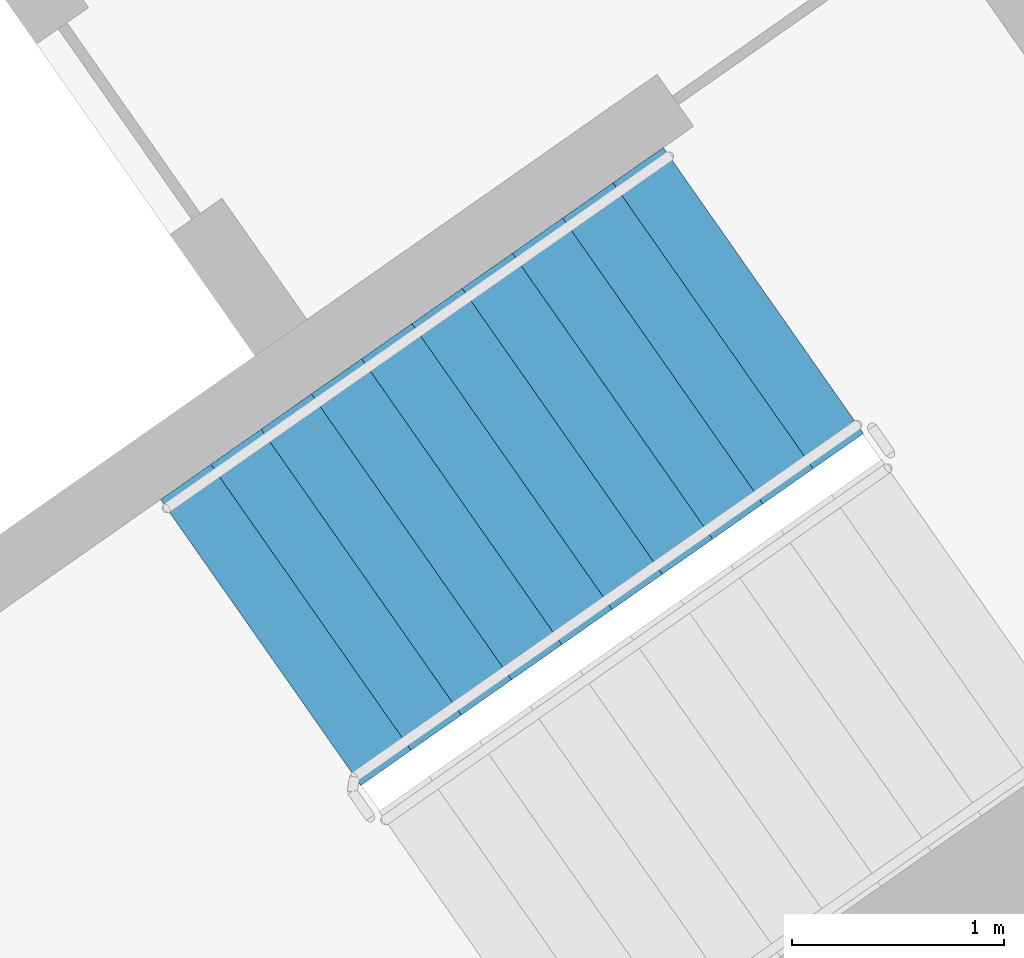
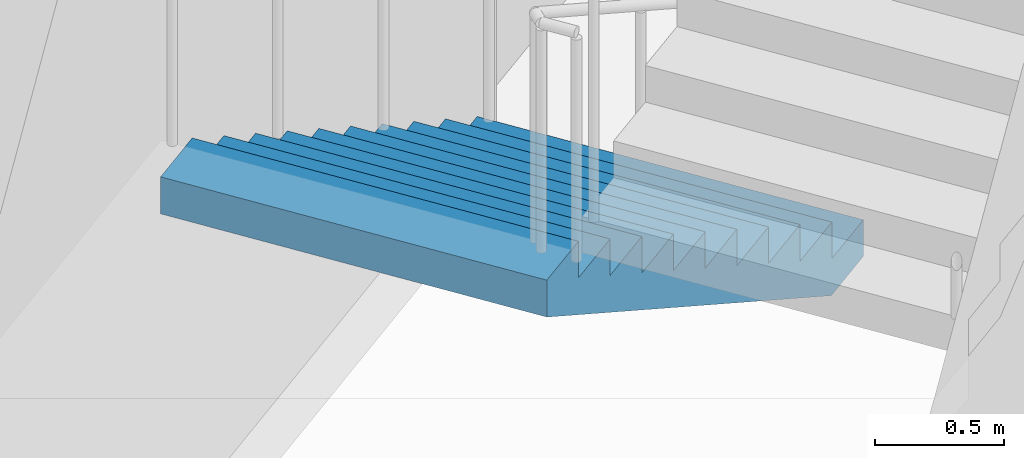
# One storey, part 16 of 27: 1 stair flight, 1 element without a shape of its own.
"""IFC4 building model written with IfcOpenShell, lengths in metres."""

from ifc_helpers import new_model, si_unit, direction, frame, origin, place, context, subcontext, project, spatial, faceted_brep, material, type_object, element, aggregate, save


model = new_model("IFC4")

# Units and contexts
model_context = context("Model", 3, precision=1e-05, world=origin(), true_north=direction((0.0, 1.0)))
body_context = subcontext(model_context, "Body", "Model", "MODEL_VIEW")
ifc_project = project(units=[si_unit("LENGTHUNIT", "METRE"), si_unit("AREAUNIT", "SQUARE_METRE"), si_unit("VOLUMEUNIT", "CUBIC_METRE"), si_unit("PLANEANGLEUNIT", "RADIAN"), si_unit("MASSUNIT", "GRAM", prefix="KILO")], contexts=[model_context])

# Site, building, storey
site_placement = place(None, origin())
site = spatial("IfcSite", under=ifc_project, at=site_placement, CompositionType="ELEMENT")
building_placement = place(site_placement, origin())
building = spatial("IfcBuilding", under=site, at=building_placement, Name="Qamariyya Broadcast Tower", CompositionType="ELEMENT")
storey_placement = place(building_placement, frame((0.0, 0.0, 179.699951171875)))
storey = spatial("IfcBuildingStorey", under=building, at=storey_placement, Name="L42", CompositionType="ELEMENT", Elevation=179.699951171875)

# Stair, stair flight
ifc_material = material(Name="Concrete C50/60", Category="concrete")
stair_type = type_object("IfcStairType", Name="Exit stair 22 risers of 173 mm", PredefinedType="HALF_TURN_STAIR", material=ifc_material)
stair_placement = place(storey_placement, origin())
stair = element("IfcStair", 1, at=stair_placement, inside=storey, type_object=stair_type, Name="L42 Stair E1", PredefinedType="HALF_TURN_STAIR")
stair_flight_type = type_object("IfcStairFlightType", Name="Exit stair flight 11 risers of 173 mm", PredefinedType="STRAIGHT", material=ifc_material)
stair_flight_placement = place(storey_placement, frame((46.036376953125, -55.508056640625, 0.0), z_axis=(0.0, 0.0, 1.0), x_axis=(-0.819152044289, -0.573576436351, 0.0)))
stair_flight = element("IfcStairFlight", 2, at=stair_flight_placement, type_object=stair_flight_type, Name="ST-E1 flight 1", NumberOfRisers=11, NumberOfTreads=10, PredefinedType="STRAIGHT", RiserHeight=0.172727273, TreadLength=0.29, context=body_context, shape_type="Brep", body=[
    faceted_brep([(0.0, 0.824951171875, 0.0), (0.0, 0.824951171875, 0.172607421875), (0.2900390625, 0.824951171875, 0.172607421875), (0.2900390625, 0.824951171875, 0.345458984375), (0.580078125, 0.824951171875, 0.345458984375), (0.580078125, 0.824951171875, 0.51806640625), (0.8701171875, 0.824951171875, 0.51806640625), (0.8701171875, 0.824951171875, 0.69091796875), (1.159912109375, 0.824951171875, 0.69091796875), (1.159912109375, 0.824951171875, 0.863525390625), (1.449951171875, 0.824951171875, 0.863525390625), (1.449951171875, 0.824951171875, 1.036376953125), (1.739990234375, 0.824951171875, 1.036376953125), (1.739990234375, 0.824951171875, 1.208984375), (2.030029296875, 0.824951171875, 1.208984375), (2.030029296875, 0.824951171875, 1.3818359375), (2.320068359375, 0.824951171875, 1.3818359375), (2.320068359375, 0.824951171875, 1.554443359375), (2.610107421875, 0.824951171875, 1.554443359375), (2.610107421875, 0.824951171875, 1.727294921875), (2.89990234375, 0.824951171875, 1.727294921875), (2.89990234375, 0.824951171875, 1.552734375), (0.29296875, 0.824951171875, 0.0), (0.29296875, -0.824951171875, 0.0), (2.89990234375, -0.824951171875, 1.552734375), (2.89990234375, -0.824951171875, 1.727294921875), (2.610107421875, -0.824951171875, 1.727294921875), (2.610107421875, -0.824951171875, 1.554443359375), (2.320068359375, -0.824951171875, 1.554443359375), (2.320068359375, -0.824951171875, 1.3818359375), (2.030029296875, -0.824951171875, 1.3818359375), (2.030029296875, -0.824951171875, 1.208984375), (1.739990234375, -0.824951171875, 1.208984375), (1.739990234375, -0.824951171875, 1.036376953125), (1.449951171875, -0.824951171875, 1.036376953125), (1.449951171875, -0.824951171875, 0.863525390625), (1.159912109375, -0.824951171875, 0.863525390625), (1.159912109375, -0.824951171875, 0.69091796875), (0.8701171875, -0.824951171875, 0.69091796875), (0.8701171875, -0.824951171875, 0.51806640625), (0.580078125, -0.824951171875, 0.51806640625), (0.580078125, -0.824951171875, 0.345458984375), (0.2900390625, -0.824951171875, 0.345458984375), (0.2900390625, -0.824951171875, 0.172607421875), (0.0, -0.824951171875, 0.172607421875), (0.0, -0.824951171875, 0.0), (0.0, 0.10009765625, 0.0), (0.0, 0.086669921875, 0.0), (0.0, 0.0732421875, 0.0), (0.0, 0.06005859375, 0.0), (0.0, 0.046630859375, 0.0), (0.0, 0.033447265625, 0.0), (0.0, 0.02001953125, 0.0), (0.0, 0.006591796875, 0.0), (0.0, -0.006591796875, 0.0), (0.0, -0.02001953125, 0.0), (0.0, -0.033447265625, 0.0), (0.0, -0.046630859375, 0.0), (0.0, -0.06005859375, 0.0), (0.0, -0.0732421875, 0.0), (0.0, -0.086669921875, 0.0), (0.0, -0.10009765625, 0.0), (0.0, -0.10009765625, 0.172607421875), (0.0, -0.086669921875, 0.172607421875), (0.0, -0.0732421875, 0.172607421875), (0.0, -0.06005859375, 0.172607421875), (0.0, -0.046630859375, 0.172607421875), (0.0, -0.033447265625, 0.172607421875), (0.0, -0.02001953125, 0.172607421875), (0.0, -0.006591796875, 0.172607421875), (0.0, 0.006591796875, 0.172607421875), (0.0, 0.02001953125, 0.172607421875), (0.0, 0.033447265625, 0.172607421875), (0.0, 0.046630859375, 0.172607421875), (0.0, 0.06005859375, 0.172607421875), (0.0, 0.0732421875, 0.172607421875), (0.0, 0.086669921875, 0.172607421875), (0.0, 0.10009765625, 0.172607421875), (0.2900390625, -0.10009765625, 0.172607421875), (0.2900390625, -0.086669921875, 0.172607421875), (0.2900390625, -0.0732421875, 0.172607421875), (0.2900390625, -0.06005859375, 0.172607421875), (0.2900390625, -0.046630859375, 0.172607421875), (0.2900390625, -0.033447265625, 0.172607421875), (0.2900390625, -0.02001953125, 0.172607421875), (0.2900390625, -0.006591796875, 0.172607421875), (0.2900390625, 0.006591796875, 0.172607421875), (0.2900390625, 0.02001953125, 0.172607421875), (0.2900390625, 0.033447265625, 0.172607421875), (0.2900390625, 0.046630859375, 0.172607421875), (0.2900390625, 0.06005859375, 0.172607421875), (0.2900390625, 0.0732421875, 0.172607421875), (0.2900390625, 0.086669921875, 0.172607421875), (0.2900390625, 0.10009765625, 0.172607421875), (0.2900390625, -0.10009765625, 0.345458984375), (0.2900390625, -0.086669921875, 0.345458984375), (0.2900390625, -0.0732421875, 0.345458984375), (0.2900390625, -0.06005859375, 0.345458984375), (0.2900390625, -0.046630859375, 0.345458984375), (0.2900390625, -0.033447265625, 0.345458984375), (0.2900390625, -0.02001953125, 0.345458984375), (0.2900390625, -0.006591796875, 0.345458984375), (0.2900390625, 0.006591796875, 0.345458984375), (0.2900390625, 0.02001953125, 0.345458984375), (0.2900390625, 0.033447265625, 0.345458984375), (0.2900390625, 0.046630859375, 0.345458984375), (0.2900390625, 0.06005859375, 0.345458984375), (0.2900390625, 0.0732421875, 0.345458984375), (0.2900390625, 0.086669921875, 0.345458984375), (0.2900390625, 0.10009765625, 0.345458984375), (0.580078125, -0.10009765625, 0.345458984375), (0.580078125, -0.086669921875, 0.345458984375), (0.580078125, -0.0732421875, 0.345458984375), (0.580078125, -0.06005859375, 0.345458984375), (0.580078125, -0.046630859375, 0.345458984375), (0.580078125, -0.033447265625, 0.345458984375), (0.580078125, -0.02001953125, 0.345458984375), (0.580078125, -0.006591796875, 0.345458984375), (0.580078125, 0.006591796875, 0.345458984375), (0.580078125, 0.02001953125, 0.345458984375), (0.580078125, 0.033447265625, 0.345458984375), (0.580078125, 0.046630859375, 0.345458984375), (0.580078125, 0.06005859375, 0.345458984375), (0.580078125, 0.0732421875, 0.345458984375), (0.580078125, 0.086669921875, 0.345458984375), (0.580078125, 0.10009765625, 0.345458984375), (0.580078125, -0.10009765625, 0.51806640625), (0.580078125, -0.086669921875, 0.51806640625), (0.580078125, -0.0732421875, 0.51806640625), (0.580078125, -0.06005859375, 0.51806640625), (0.580078125, -0.046630859375, 0.51806640625), (0.580078125, -0.033447265625, 0.51806640625), (0.580078125, -0.02001953125, 0.51806640625), (0.580078125, -0.006591796875, 0.51806640625), (0.580078125, 0.006591796875, 0.51806640625), (0.580078125, 0.02001953125, 0.51806640625), (0.580078125, 0.033447265625, 0.51806640625), (0.580078125, 0.046630859375, 0.51806640625), (0.580078125, 0.06005859375, 0.51806640625), (0.580078125, 0.0732421875, 0.51806640625), (0.580078125, 0.086669921875, 0.51806640625), (0.580078125, 0.10009765625, 0.51806640625), (0.8701171875, -0.10009765625, 0.51806640625), (0.8701171875, -0.086669921875, 0.51806640625), (0.8701171875, -0.0732421875, 0.51806640625), (0.8701171875, -0.06005859375, 0.51806640625), (0.8701171875, -0.046630859375, 0.51806640625), (0.8701171875, -0.033447265625, 0.51806640625), (0.8701171875, -0.02001953125, 0.51806640625), (0.8701171875, -0.006591796875, 0.51806640625), (0.8701171875, 0.006591796875, 0.51806640625), (0.8701171875, 0.02001953125, 0.51806640625), (0.8701171875, 0.033447265625, 0.51806640625), (0.8701171875, 0.046630859375, 0.51806640625), (0.8701171875, 0.06005859375, 0.51806640625), (0.8701171875, 0.0732421875, 0.51806640625), (0.8701171875, 0.086669921875, 0.51806640625), (0.8701171875, 0.10009765625, 0.51806640625), (0.8701171875, -0.10009765625, 0.69091796875), (0.8701171875, -0.086669921875, 0.69091796875), (0.8701171875, -0.0732421875, 0.69091796875), (0.8701171875, -0.06005859375, 0.69091796875), (0.8701171875, -0.046630859375, 0.69091796875), (0.8701171875, -0.033447265625, 0.69091796875), (0.8701171875, -0.02001953125, 0.69091796875), (0.8701171875, -0.006591796875, 0.69091796875), (0.8701171875, 0.006591796875, 0.69091796875), (0.8701171875, 0.02001953125, 0.69091796875), (0.8701171875, 0.033447265625, 0.69091796875), (0.8701171875, 0.046630859375, 0.69091796875), (0.8701171875, 0.06005859375, 0.69091796875), (0.8701171875, 0.0732421875, 0.69091796875), (0.8701171875, 0.086669921875, 0.69091796875), (0.8701171875, 0.10009765625, 0.69091796875), (1.159912109375, -0.10009765625, 0.69091796875), (1.159912109375, -0.086669921875, 0.69091796875), (1.159912109375, -0.0732421875, 0.69091796875), (1.159912109375, -0.06005859375, 0.69091796875), (1.159912109375, -0.046630859375, 0.69091796875), (1.159912109375, -0.033447265625, 0.69091796875), (1.159912109375, -0.02001953125, 0.69091796875), (1.159912109375, -0.006591796875, 0.69091796875), (1.159912109375, 0.006591796875, 0.69091796875), (1.159912109375, 0.02001953125, 0.69091796875), (1.159912109375, 0.033447265625, 0.69091796875), (1.159912109375, 0.046630859375, 0.69091796875), (1.159912109375, 0.06005859375, 0.69091796875), (1.159912109375, 0.0732421875, 0.69091796875), (1.159912109375, 0.086669921875, 0.69091796875), (1.159912109375, 0.10009765625, 0.69091796875), (1.159912109375, -0.10009765625, 0.863525390625), (1.159912109375, -0.086669921875, 0.863525390625), (1.159912109375, -0.0732421875, 0.863525390625), (1.159912109375, -0.06005859375, 0.863525390625), (1.159912109375, -0.046630859375, 0.863525390625), (1.159912109375, -0.033447265625, 0.863525390625), (1.159912109375, -0.02001953125, 0.863525390625), (1.159912109375, -0.006591796875, 0.863525390625), (1.159912109375, 0.006591796875, 0.863525390625), (1.159912109375, 0.02001953125, 0.863525390625), (1.159912109375, 0.033447265625, 0.863525390625), (1.159912109375, 0.046630859375, 0.863525390625), (1.159912109375, 0.06005859375, 0.863525390625), (1.159912109375, 0.0732421875, 0.863525390625), (1.159912109375, 0.086669921875, 0.863525390625), (1.159912109375, 0.10009765625, 0.863525390625), (1.449951171875, -0.10009765625, 0.863525390625), (1.449951171875, -0.086669921875, 0.863525390625), (1.449951171875, -0.0732421875, 0.863525390625), (1.449951171875, -0.06005859375, 0.863525390625), (1.449951171875, -0.046630859375, 0.863525390625), (1.449951171875, -0.033447265625, 0.863525390625), (1.449951171875, -0.02001953125, 0.863525390625), (1.449951171875, -0.006591796875, 0.863525390625), (1.449951171875, 0.006591796875, 0.863525390625), (1.449951171875, 0.02001953125, 0.863525390625), (1.449951171875, 0.033447265625, 0.863525390625), (1.449951171875, 0.046630859375, 0.863525390625), (1.449951171875, 0.06005859375, 0.863525390625), (1.449951171875, 0.0732421875, 0.863525390625), (1.449951171875, 0.086669921875, 0.863525390625), (1.449951171875, 0.10009765625, 0.863525390625), (1.449951171875, -0.10009765625, 1.036376953125), (1.449951171875, -0.086669921875, 1.036376953125), (1.449951171875, -0.0732421875, 1.036376953125), (1.449951171875, -0.06005859375, 1.036376953125), (1.449951171875, -0.046630859375, 1.036376953125), (1.449951171875, -0.033447265625, 1.036376953125), (1.449951171875, -0.02001953125, 1.036376953125), (1.449951171875, -0.006591796875, 1.036376953125), (1.449951171875, 0.006591796875, 1.036376953125), (1.449951171875, 0.02001953125, 1.036376953125), (1.449951171875, 0.033447265625, 1.036376953125), (1.449951171875, 0.046630859375, 1.036376953125), (1.449951171875, 0.06005859375, 1.036376953125), (1.449951171875, 0.0732421875, 1.036376953125), (1.449951171875, 0.086669921875, 1.036376953125), (1.449951171875, 0.10009765625, 1.036376953125), (1.739990234375, -0.10009765625, 1.036376953125), (1.739990234375, -0.086669921875, 1.036376953125), (1.739990234375, -0.0732421875, 1.036376953125), (1.739990234375, -0.06005859375, 1.036376953125), (1.739990234375, -0.046630859375, 1.036376953125), (1.739990234375, -0.033447265625, 1.036376953125), (1.739990234375, -0.02001953125, 1.036376953125), (1.739990234375, -0.006591796875, 1.036376953125), (1.739990234375, 0.006591796875, 1.036376953125), (1.739990234375, 0.02001953125, 1.036376953125), (1.739990234375, 0.033447265625, 1.036376953125), (1.739990234375, 0.046630859375, 1.036376953125), (1.739990234375, 0.06005859375, 1.036376953125), (1.739990234375, 0.0732421875, 1.036376953125), (1.739990234375, 0.086669921875, 1.036376953125), (1.739990234375, 0.10009765625, 1.036376953125), (1.739990234375, -0.10009765625, 1.208984375), (1.739990234375, -0.086669921875, 1.208984375), (1.739990234375, -0.0732421875, 1.208984375), (1.739990234375, -0.06005859375, 1.208984375), (1.739990234375, -0.046630859375, 1.208984375), (1.739990234375, -0.033447265625, 1.208984375), (1.739990234375, -0.02001953125, 1.208984375), (1.739990234375, -0.006591796875, 1.208984375), (1.739990234375, 0.006591796875, 1.208984375), (1.739990234375, 0.02001953125, 1.208984375), (1.739990234375, 0.033447265625, 1.208984375), (1.739990234375, 0.046630859375, 1.208984375), (1.739990234375, 0.06005859375, 1.208984375), (1.739990234375, 0.0732421875, 1.208984375), (1.739990234375, 0.086669921875, 1.208984375), (1.739990234375, 0.10009765625, 1.208984375), (2.030029296875, -0.10009765625, 1.208984375), (2.030029296875, -0.086669921875, 1.208984375), (2.030029296875, -0.0732421875, 1.208984375), (2.030029296875, -0.06005859375, 1.208984375), (2.030029296875, -0.046630859375, 1.208984375), (2.030029296875, -0.033447265625, 1.208984375), (2.030029296875, -0.02001953125, 1.208984375), (2.030029296875, -0.006591796875, 1.208984375), (2.030029296875, 0.006591796875, 1.208984375), (2.030029296875, 0.02001953125, 1.208984375), (2.030029296875, 0.033447265625, 1.208984375), (2.030029296875, 0.046630859375, 1.208984375), (2.030029296875, 0.06005859375, 1.208984375), (2.030029296875, 0.0732421875, 1.208984375), (2.030029296875, 0.086669921875, 1.208984375), (2.030029296875, 0.10009765625, 1.208984375), (2.030029296875, -0.10009765625, 1.3818359375), (2.030029296875, -0.086669921875, 1.3818359375), (2.030029296875, -0.0732421875, 1.3818359375), (2.030029296875, -0.06005859375, 1.3818359375), (2.030029296875, -0.046630859375, 1.3818359375), (2.030029296875, -0.033447265625, 1.3818359375), (2.030029296875, -0.02001953125, 1.3818359375), (2.030029296875, -0.006591796875, 1.3818359375), (2.030029296875, 0.006591796875, 1.3818359375), (2.030029296875, 0.02001953125, 1.3818359375), (2.030029296875, 0.033447265625, 1.3818359375), (2.030029296875, 0.046630859375, 1.3818359375), (2.030029296875, 0.06005859375, 1.3818359375), (2.030029296875, 0.0732421875, 1.3818359375), (2.030029296875, 0.086669921875, 1.3818359375), (2.030029296875, 0.10009765625, 1.3818359375), (2.320068359375, -0.10009765625, 1.3818359375), (2.320068359375, -0.086669921875, 1.3818359375), (2.320068359375, -0.0732421875, 1.3818359375), (2.320068359375, -0.06005859375, 1.3818359375), (2.320068359375, -0.046630859375, 1.3818359375), (2.320068359375, -0.033447265625, 1.3818359375), (2.320068359375, -0.02001953125, 1.3818359375), (2.320068359375, -0.006591796875, 1.3818359375), (2.320068359375, 0.006591796875, 1.3818359375), (2.320068359375, 0.02001953125, 1.3818359375), (2.320068359375, 0.033447265625, 1.3818359375), (2.320068359375, 0.046630859375, 1.3818359375), (2.320068359375, 0.06005859375, 1.3818359375), (2.320068359375, 0.0732421875, 1.3818359375), (2.320068359375, 0.086669921875, 1.3818359375), (2.320068359375, 0.10009765625, 1.3818359375), (2.320068359375, -0.10009765625, 1.554443359375), (2.320068359375, -0.086669921875, 1.554443359375), (2.320068359375, -0.0732421875, 1.554443359375), (2.320068359375, -0.06005859375, 1.554443359375), (2.320068359375, -0.046630859375, 1.554443359375), (2.320068359375, -0.033447265625, 1.554443359375), (2.320068359375, -0.02001953125, 1.554443359375), (2.320068359375, -0.006591796875, 1.554443359375), (2.320068359375, 0.006591796875, 1.554443359375), (2.320068359375, 0.02001953125, 1.554443359375), (2.320068359375, 0.033447265625, 1.554443359375), (2.320068359375, 0.046630859375, 1.554443359375), (2.320068359375, 0.06005859375, 1.554443359375), (2.320068359375, 0.0732421875, 1.554443359375), (2.320068359375, 0.086669921875, 1.554443359375), (2.320068359375, 0.10009765625, 1.554443359375), (2.610107421875, -0.10009765625, 1.554443359375), (2.610107421875, -0.086669921875, 1.554443359375), (2.610107421875, -0.0732421875, 1.554443359375), (2.610107421875, -0.06005859375, 1.554443359375), (2.610107421875, -0.046630859375, 1.554443359375), (2.610107421875, -0.033447265625, 1.554443359375), (2.610107421875, -0.02001953125, 1.554443359375), (2.610107421875, -0.006591796875, 1.554443359375), (2.610107421875, 0.006591796875, 1.554443359375), (2.610107421875, 0.02001953125, 1.554443359375), (2.610107421875, 0.033447265625, 1.554443359375), (2.610107421875, 0.046630859375, 1.554443359375), (2.610107421875, 0.06005859375, 1.554443359375), (2.610107421875, 0.0732421875, 1.554443359375), (2.610107421875, 0.086669921875, 1.554443359375), (2.610107421875, 0.10009765625, 1.554443359375), (2.610107421875, -0.10009765625, 1.727294921875), (2.610107421875, -0.086669921875, 1.727294921875), (2.610107421875, -0.0732421875, 1.727294921875), (2.610107421875, -0.06005859375, 1.727294921875), (2.610107421875, -0.046630859375, 1.727294921875), (2.610107421875, -0.033447265625, 1.727294921875), (2.610107421875, -0.02001953125, 1.727294921875), (2.610107421875, -0.006591796875, 1.727294921875), (2.610107421875, 0.006591796875, 1.727294921875), (2.610107421875, 0.02001953125, 1.727294921875), (2.610107421875, 0.033447265625, 1.727294921875), (2.610107421875, 0.046630859375, 1.727294921875), (2.610107421875, 0.06005859375, 1.727294921875), (2.610107421875, 0.0732421875, 1.727294921875), (2.610107421875, 0.086669921875, 1.727294921875), (2.610107421875, 0.10009765625, 1.727294921875), (2.89990234375, -0.10009765625, 1.727294921875), (2.89990234375, -0.086669921875, 1.727294921875), (2.89990234375, -0.0732421875, 1.727294921875), (2.89990234375, -0.06005859375, 1.727294921875), (2.89990234375, -0.046630859375, 1.727294921875), (2.89990234375, -0.033447265625, 1.727294921875), (2.89990234375, -0.02001953125, 1.727294921875), (2.89990234375, -0.006591796875, 1.727294921875), (2.89990234375, 0.006591796875, 1.727294921875), (2.89990234375, 0.02001953125, 1.727294921875), (2.89990234375, 0.033447265625, 1.727294921875), (2.89990234375, 0.046630859375, 1.727294921875), (2.89990234375, 0.06005859375, 1.727294921875), (2.89990234375, 0.0732421875, 1.727294921875), (2.89990234375, 0.086669921875, 1.727294921875), (2.89990234375, 0.10009765625, 1.727294921875), (2.89990234375, -0.10009765625, 1.552734375), (2.89990234375, -0.086669921875, 1.552734375), (2.89990234375, -0.0732421875, 1.552734375), (2.89990234375, -0.06005859375, 1.552734375), (2.89990234375, -0.046630859375, 1.552734375), (2.89990234375, -0.033447265625, 1.552734375), (2.89990234375, -0.02001953125, 1.552734375), (2.89990234375, -0.006591796875, 1.552734375), (2.89990234375, 0.006591796875, 1.552734375), (2.89990234375, 0.02001953125, 1.552734375), (2.89990234375, 0.033447265625, 1.552734375), (2.89990234375, 0.046630859375, 1.552734375), (2.89990234375, 0.06005859375, 1.552734375), (2.89990234375, 0.0732421875, 1.552734375), (2.89990234375, 0.086669921875, 1.552734375), (2.89990234375, 0.10009765625, 1.552734375), (0.29296875, -0.10009765625, 0.0), (0.29296875, -0.086669921875, 0.0), (0.29296875, -0.0732421875, 0.0), (0.29296875, -0.06005859375, 0.0), (0.29296875, -0.046630859375, 0.0), (0.29296875, -0.033447265625, 0.0), (0.29296875, -0.02001953125, 0.0), (0.29296875, -0.006591796875, 0.0), (0.29296875, 0.006591796875, 0.0), (0.29296875, 0.02001953125, 0.0), (0.29296875, 0.033447265625, 0.0), (0.29296875, 0.046630859375, 0.0), (0.29296875, 0.06005859375, 0.0), (0.29296875, 0.0732421875, 0.0), (0.29296875, 0.086669921875, 0.0), (0.29296875, 0.10009765625, 0.0)], [[[0, 1, 2, 3, 4, 5, 6, 7, 8, 9, 10, 11, 12, 13, 14, 15, 16, 17, 18, 19, 20, 21, 22]], [[23, 24, 25, 26, 27, 28, 29, 30, 31, 32, 33, 34, 35, 36, 37, 38, 39, 40, 41, 42, 43, 44, 45]], [[0, 46, 47, 48, 49, 50, 51, 52, 53, 54, 55, 56, 57, 58, 59, 60, 61, 45, 44, 62, 63, 64, 65, 66, 67, 68, 69, 70, 71, 72, 73, 74, 75, 76, 77, 1]], [[1, 77, 76, 75, 74, 73, 72, 71, 70, 69, 68, 67, 66, 65, 64, 63, 62, 44, 43, 78, 79, 80, 81, 82, 83, 84, 85, 86, 87, 88, 89, 90, 91, 92, 93, 2]], [[2, 93, 92, 91, 90, 89, 88, 87, 86, 85, 84, 83, 82, 81, 80, 79, 78, 43, 42, 94, 95, 96, 97, 98, 99, 100, 101, 102, 103, 104, 105, 106, 107, 108, 109, 3]], [[3, 109, 108, 107, 106, 105, 104, 103, 102, 101, 100, 99, 98, 97, 96, 95, 94, 42, 41, 110, 111, 112, 113, 114, 115, 116, 117, 118, 119, 120, 121, 122, 123, 124, 125, 4]], [[4, 125, 124, 123, 122, 121, 120, 119, 118, 117, 116, 115, 114, 113, 112, 111, 110, 41, 40, 126, 127, 128, 129, 130, 131, 132, 133, 134, 135, 136, 137, 138, 139, 140, 141, 5]], [[5, 141, 140, 139, 138, 137, 136, 135, 134, 133, 132, 131, 130, 129, 128, 127, 126, 40, 39, 142, 143, 144, 145, 146, 147, 148, 149, 150, 151, 152, 153, 154, 155, 156, 157, 6]], [[6, 157, 156, 155, 154, 153, 152, 151, 150, 149, 148, 147, 146, 145, 144, 143, 142, 39, 38, 158, 159, 160, 161, 162, 163, 164, 165, 166, 167, 168, 169, 170, 171, 172, 173, 7]], [[7, 173, 172, 171, 170, 169, 168, 167, 166, 165, 164, 163, 162, 161, 160, 159, 158, 38, 37, 174, 175, 176, 177, 178, 179, 180, 181, 182, 183, 184, 185, 186, 187, 188, 189, 8]], [[8, 189, 188, 187, 186, 185, 184, 183, 182, 181, 180, 179, 178, 177, 176, 175, 174, 37, 36, 190, 191, 192, 193, 194, 195, 196, 197, 198, 199, 200, 201, 202, 203, 204, 205, 9]], [[9, 205, 204, 203, 202, 201, 200, 199, 198, 197, 196, 195, 194, 193, 192, 191, 190, 36, 35, 206, 207, 208, 209, 210, 211, 212, 213, 214, 215, 216, 217, 218, 219, 220, 221, 10]], [[10, 221, 220, 219, 218, 217, 216, 215, 214, 213, 212, 211, 210, 209, 208, 207, 206, 35, 34, 222, 223, 224, 225, 226, 227, 228, 229, 230, 231, 232, 233, 234, 235, 236, 237, 11]], [[11, 237, 236, 235, 234, 233, 232, 231, 230, 229, 228, 227, 226, 225, 224, 223, 222, 34, 33, 238, 239, 240, 241, 242, 243, 244, 245, 246, 247, 248, 249, 250, 251, 252, 253, 12]], [[12, 253, 252, 251, 250, 249, 248, 247, 246, 245, 244, 243, 242, 241, 240, 239, 238, 33, 32, 254, 255, 256, 257, 258, 259, 260, 261, 262, 263, 264, 265, 266, 267, 268, 269, 13]], [[13, 269, 268, 267, 266, 265, 264, 263, 262, 261, 260, 259, 258, 257, 256, 255, 254, 32, 31, 270, 271, 272, 273, 274, 275, 276, 277, 278, 279, 280, 281, 282, 283, 284, 285, 14]], [[14, 285, 284, 283, 282, 281, 280, 279, 278, 277, 276, 275, 274, 273, 272, 271, 270, 31, 30, 286, 287, 288, 289, 290, 291, 292, 293, 294, 295, 296, 297, 298, 299, 300, 301, 15]], [[15, 301, 300, 299, 298, 297, 296, 295, 294, 293, 292, 291, 290, 289, 288, 287, 286, 30, 29, 302, 303, 304, 305, 306, 307, 308, 309, 310, 311, 312, 313, 314, 315, 316, 317, 16]], [[16, 317, 316, 315, 314, 313, 312, 311, 310, 309, 308, 307, 306, 305, 304, 303, 302, 29, 28, 318, 319, 320, 321, 322, 323, 324, 325, 326, 327, 328, 329, 330, 331, 332, 333, 17]], [[17, 333, 332, 331, 330, 329, 328, 327, 326, 325, 324, 323, 322, 321, 320, 319, 318, 28, 27, 334, 335, 336, 337, 338, 339, 340, 341, 342, 343, 344, 345, 346, 347, 348, 349, 18]], [[18, 349, 348, 347, 346, 345, 344, 343, 342, 341, 340, 339, 338, 337, 336, 335, 334, 27, 26, 350, 351, 352, 353, 354, 355, 356, 357, 358, 359, 360, 361, 362, 363, 364, 365, 19]], [[19, 365, 364, 363, 362, 361, 360, 359, 358, 357, 356, 355, 354, 353, 352, 351, 350, 26, 25, 366, 367, 368, 369, 370, 371, 372, 373, 374, 375, 376, 377, 378, 379, 380, 381, 20]], [[20, 381, 380, 379, 378, 377, 376, 375, 374, 373, 372, 371, 370, 369, 368, 367, 366, 25, 24, 382, 383, 384, 385, 386, 387, 388, 389, 390, 391, 392, 393, 394, 395, 396, 397, 21]], [[21, 397, 396, 395, 394, 393, 392, 391, 390, 389, 388, 387, 386, 385, 384, 383, 382, 24, 23, 398, 399, 400, 401, 402, 403, 404, 405, 406, 407, 408, 409, 410, 411, 412, 413, 22]], [[22, 413, 412, 411, 410, 409, 408, 407, 406, 405, 404, 403, 402, 401, 400, 399, 398, 23, 45, 61, 60, 59, 58, 57, 56, 55, 54, 53, 52, 51, 50, 49, 48, 47, 46, 0]]]),
])
aggregate(stair, [stair_flight])

save(model, "model.ifc")
